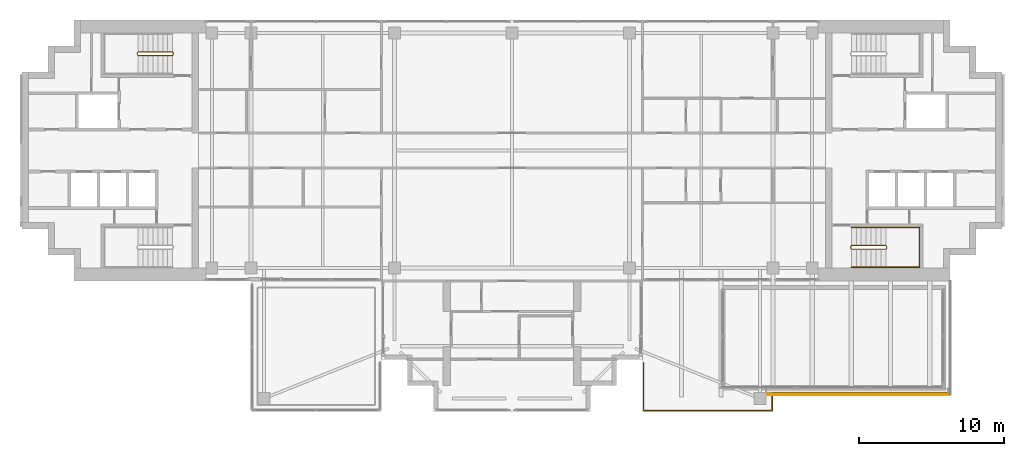
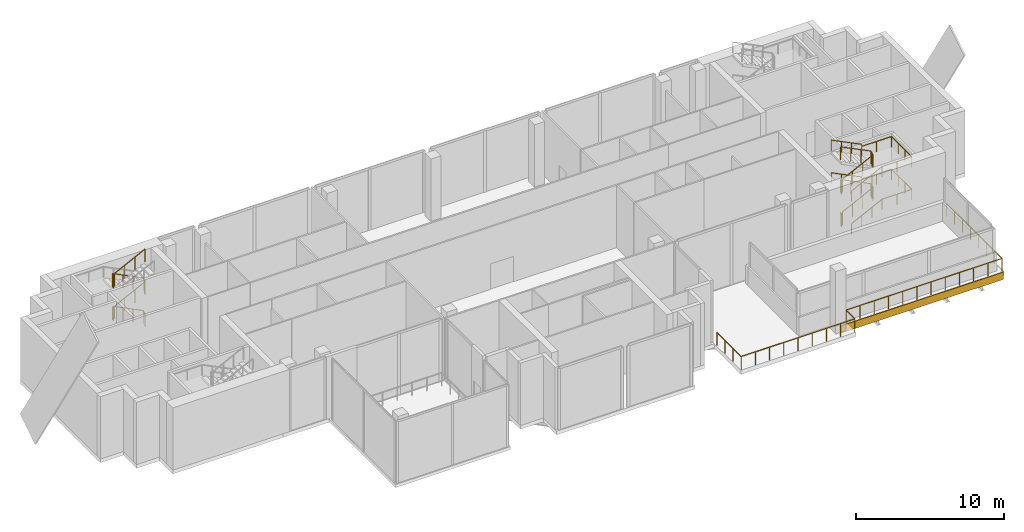
# One storey, part 13 of 14: 5 railings, 1 covering.
"""IFC4 building model written with IfcOpenShell, lengths in metres."""

from ifc_helpers import new_model, si_unit, direction, frame, origin, origin_2d, place, context, subcontext, project, spatial, rectangle, extrude, material, layer, layer_set, type_object, element, save


model = new_model("IFC4")

# Units and contexts
model_context = context("Model", 3, precision=1e-05, world=origin(), true_north=direction((0.0, 1.0)))
body_context = subcontext(model_context, "Body", "Model", "MODEL_VIEW")
ifc_project = project(units=[si_unit("LENGTHUNIT", "METRE"), si_unit("AREAUNIT", "SQUARE_METRE"), si_unit("VOLUMEUNIT", "CUBIC_METRE"), si_unit("PLANEANGLEUNIT", "RADIAN"), si_unit("MASSUNIT", "GRAM", prefix="KILO")], contexts=[model_context])

# Site, building, storey
site_placement = place(None, origin())
site = spatial("IfcSite", under=ifc_project, at=site_placement, CompositionType="ELEMENT")
building_placement = place(site_placement, origin())
building = spatial("IfcBuilding", under=site, at=building_placement, Name="Perihelion Cross Residences", CompositionType="ELEMENT")
storey_placement = place(building_placement, frame((0.0, 0.0, 285.0)))
storey = spatial("IfcBuildingStorey", under=building, at=storey_placement, Name="L73", CompositionType="ELEMENT", Elevation=285.0)

# Covering
ifc_material_1 = material(Name="Bronze anodised aluminium", Category="aluminium")
ifc_layer = layer(ifc_material_1, 0.06005859375)
ifc_layer_set = layer_set([ifc_layer], Name="Pool deck edge cladding")
covering_type = type_object("IfcCoveringType", Name="Pool deck edge cladding", PredefinedType="CLADDING", material=ifc_layer_set)
covering_placement = place(storey_placement, frame((23.85009765625, -16.830078125, -0.60009765625), z_axis=(0.0, 0.0, 1.0), x_axis=(1.0, 0.0, 0.0)))
element("IfcCovering", 1, at=covering_placement, inside=storey, type_object=covering_type, Name="Fascia PEC1 L73 pool no. 2", PredefinedType="CLADDING", context=body_context, shape_type="SweptSolid", body=[
    extrude(rectangle(XDim=12.699951171875, YDim=0.06005859375, at=origin_2d()), origin(), (0.0, 0.0, 1.0), 0.60009765625),
])

# Railings
ifc_material_2 = material(Name="Stainless steel", Category="steel")
railing_type_1 = type_object("IfcRailingType", Name="Stair guard 1100", PredefinedType="GUARDRAIL", material=ifc_material_2)
railing_1_placement = place(storey_placement, frame((23.35009765625, -6.60009765625, 0.0)))
element("IfcRailing", 2, at=railing_1_placement, inside=storey, type_object=railing_type_1, Name="L73 ST-E2 stair guard 1", PredefinedType="GUARDRAIL", context=body_context, shape_type="SweptSolid", body=[
    extrude(rectangle(XDim=0.048095703125, YDim=0.048095703125, at=origin_2d()), frame((0.0, 0.0, 1.076171875), z_axis=(0.0, -1.0, 0.0), x_axis=(1.0, 0.0, 0.0)), (0.0, 0.0, 1.0), 0.14990234375),
    extrude(rectangle(XDim=0.048095703125, YDim=0.048095703125, at=origin_2d()), frame((0.0, -0.14990234375, 1.076171875), z_axis=(0.272333783174, -0.273668752699, 0.922463942026), x_axis=(0.708833529934, 0.705375805398, 0.0)), (0.0, 0.0, 1.0), 0.182861328125),
    extrude(rectangle(XDim=0.048095703125, YDim=0.048095703125, at=origin_2d()), frame((0.0498046875, -0.199951171875, 1.24462890625), z_axis=(0.895728066128, 0.0, 0.444602329674), x_axis=(0.0, 1.0, 0.0)), (0.0, 0.0, 1.0), 2.6572265625),
    extrude(rectangle(XDim=0.048095703125, YDim=0.048095703125, at=origin_2d()), frame((2.429931640625, -0.199951171875, 2.42626953125), z_axis=(0.707106781187, 0.707106781187, 0.0), x_axis=(-0.707106781187, 0.707106781187, 0.0)), (0.0, 0.0, 1.0), 0.07080078125),
    extrude(rectangle(XDim=0.048095703125, YDim=0.048095703125, at=origin_2d()), frame((2.47998046875, -0.14990234375, 2.42626953125), z_axis=(0.0, 1.0, 0.0), x_axis=(-1.0, 0.0, 0.0)), (0.0, 0.0, 1.0), 0.14990234375),
    extrude(rectangle(XDim=0.048095703125, YDim=0.048095703125, at=origin_2d()), frame((2.47998046875, 0.0, 2.42626953125), z_axis=(-0.273569069059, 0.273569069059, 0.922127935218), x_axis=(-0.707106781187, -0.707106781187, 0.0)), (0.0, 0.0, 1.0), 0.182861328125),
    extrude(rectangle(XDim=0.048095703125, YDim=0.048095703125, at=origin_2d()), frame((2.429931640625, 0.050048828125, 2.5947265625), z_axis=(-0.895764654725, 0.0, 0.444528608017), x_axis=(0.0, -1.0, 0.0)), (0.0, 0.0, 1.0), 2.656982421875),
    extrude(rectangle(XDim=0.048095703125, YDim=0.048095703125, at=origin_2d()), frame((0.0498046875, 0.050048828125, 3.77587890625), z_axis=(-0.241699205484, -0.970351222016, 0.0), x_axis=(0.970351222016, -0.241699205484, 0.0)), (0.0, 0.0, 1.0), 0.2060546875),
    extrude(rectangle(XDim=0.048095703125, YDim=0.048095703125, at=origin_2d()), frame((0.0, -0.14990234375, 3.77587890625), z_axis=(0.0, 1.0, 0.0), x_axis=(-1.0, 0.0, 0.0)), (0.0, 0.0, 1.0), 0.14990234375),
    extrude(rectangle(XDim=0.048095703125, YDim=0.048095703125, at=origin_2d()), frame((0.0, 0.0, 3.77587890625), z_axis=(0.187017651923, -0.750820867278, 0.633476458228), x_axis=(0.970351222016, 0.241699205484, 0.0)), (0.0, 0.0, 1.0), 0.266357421875),
    extrude(rectangle(XDim=0.048095703125, YDim=0.048095703125, at=origin_2d()), frame((0.0498046875, -0.199951171875, 3.94482421875), z_axis=(0.895728066128, 0.0, 0.444602329674), x_axis=(0.0, 1.0, 0.0)), (0.0, 0.0, 1.0), 2.6572265625),
    extrude(rectangle(XDim=0.048095703125, YDim=0.048095703125, at=origin_2d()), frame((2.429931640625, -0.199951171875, 5.1259765625), z_axis=(0.707106781187, 0.707106781187, 0.0), x_axis=(-0.707106781187, 0.707106781187, 0.0)), (0.0, 0.0, 1.0), 0.07080078125),
    extrude(rectangle(XDim=0.048095703125, YDim=0.048095703125, at=origin_2d()), frame((2.47998046875, -0.14990234375, 5.1259765625), z_axis=(0.0, 1.0, 0.0), x_axis=(-1.0, 0.0, 0.0)), (0.0, 0.0, 1.0), 0.14990234375),
    extrude(rectangle(XDim=0.048095703125, YDim=0.048095703125, at=origin_2d()), frame((2.47998046875, 0.0, 5.1259765625), z_axis=(-0.273569069059, 0.273569069059, 0.922127935218), x_axis=(-0.707106781187, -0.707106781187, 0.0)), (0.0, 0.0, 1.0), 0.182861328125),
    extrude(rectangle(XDim=0.048095703125, YDim=0.048095703125, at=origin_2d()), frame((2.429931640625, 0.050048828125, 5.294921875), z_axis=(-0.895764654725, 0.0, 0.444528608017), x_axis=(0.0, -1.0, 0.0)), (0.0, 0.0, 1.0), 2.656982421875),
    extrude(rectangle(XDim=0.0419921875, YDim=0.0419921875, at=origin_2d()), origin(), (0.0, 0.0, 1.0), 1.052001953125),
    extrude(rectangle(XDim=0.0419921875, YDim=0.0419921875, at=origin_2d()), frame((0.0, -0.14990234375, 0.0)), (0.0, 0.0, 1.0), 1.052001953125),
    extrude(rectangle(XDim=0.0419921875, YDim=0.0419921875, at=origin_2d()), frame((0.0498046875, -0.199951171875, 0.168701171875)), (0.0, 0.0, 1.0), 1.052001953125),
    extrude(rectangle(XDim=0.0419921875, YDim=0.0419921875, at=origin_2d()), frame((0.84326171875, -0.199951171875, 0.5625)), (0.0, 0.0, 1.0), 1.052001953125),
    extrude(rectangle(XDim=0.0419921875, YDim=0.0419921875, at=origin_2d()), frame((1.636474609375, -0.199951171875, 0.956298828125)), (0.0, 0.0, 1.0), 1.052001953125),
    extrude(rectangle(XDim=0.0419921875, YDim=0.0419921875, at=origin_2d()), frame((2.429931640625, -0.199951171875, 1.35009765625)), (0.0, 0.0, 1.0), 1.052001953125),
    extrude(rectangle(XDim=0.0419921875, YDim=0.0419921875, at=origin_2d()), frame((2.47998046875, -0.14990234375, 1.35009765625)), (0.0, 0.0, 1.0), 1.052001953125),
    extrude(rectangle(XDim=0.0419921875, YDim=0.0419921875, at=origin_2d()), frame((2.47998046875, 0.0, 1.35009765625)), (0.0, 0.0, 1.0), 1.052001953125),
    extrude(rectangle(XDim=0.0419921875, YDim=0.0419921875, at=origin_2d()), frame((2.429931640625, 0.050048828125, 1.518798828125)), (0.0, 0.0, 1.0), 1.052001953125),
    extrude(rectangle(XDim=0.0419921875, YDim=0.0419921875, at=origin_2d()), frame((1.636474609375, 0.050048828125, 1.91259765625)), (0.0, 0.0, 1.0), 1.052001953125),
    extrude(rectangle(XDim=0.0419921875, YDim=0.0419921875, at=origin_2d()), frame((0.84326171875, 0.050048828125, 2.30615234375)), (0.0, 0.0, 1.0), 1.052001953125),
    extrude(rectangle(XDim=0.0419921875, YDim=0.0419921875, at=origin_2d()), frame((0.0498046875, 0.050048828125, 2.699951171875)), (0.0, 0.0, 1.0), 1.052001953125),
    extrude(rectangle(XDim=0.0419921875, YDim=0.0419921875, at=origin_2d()), frame((0.0, -0.14990234375, 2.699951171875)), (0.0, 0.0, 1.0), 1.052001953125),
    extrude(rectangle(XDim=0.0419921875, YDim=0.0419921875, at=origin_2d()), frame((0.0, 0.0, 2.699951171875)), (0.0, 0.0, 1.0), 1.052001953125),
    extrude(rectangle(XDim=0.0419921875, YDim=0.0419921875, at=origin_2d()), frame((0.0498046875, -0.199951171875, 2.86865234375)), (0.0, 0.0, 1.0), 1.052001953125),
    extrude(rectangle(XDim=0.0419921875, YDim=0.0419921875, at=origin_2d()), frame((0.84326171875, -0.199951171875, 3.262451171875)), (0.0, 0.0, 1.0), 1.052001953125),
    extrude(rectangle(XDim=0.0419921875, YDim=0.0419921875, at=origin_2d()), frame((1.636474609375, -0.199951171875, 3.65625)), (0.0, 0.0, 1.0), 1.052001953125),
    extrude(rectangle(XDim=0.0419921875, YDim=0.0419921875, at=origin_2d()), frame((2.429931640625, -0.199951171875, 4.050048828125)), (0.0, 0.0, 1.0), 1.052001953125),
    extrude(rectangle(XDim=0.0419921875, YDim=0.0419921875, at=origin_2d()), frame((2.47998046875, -0.14990234375, 4.050048828125)), (0.0, 0.0, 1.0), 1.052001953125),
    extrude(rectangle(XDim=0.0419921875, YDim=0.0419921875, at=origin_2d()), frame((2.47998046875, 0.0, 4.050048828125)), (0.0, 0.0, 1.0), 1.052001953125),
    extrude(rectangle(XDim=0.0419921875, YDim=0.0419921875, at=origin_2d()), frame((2.429931640625, 0.050048828125, 4.21875)), (0.0, 0.0, 1.0), 1.052001953125),
    extrude(rectangle(XDim=0.0419921875, YDim=0.0419921875, at=origin_2d()), frame((1.636474609375, 0.050048828125, 4.612548828125)), (0.0, 0.0, 1.0), 1.052001953125),
    extrude(rectangle(XDim=0.0419921875, YDim=0.0419921875, at=origin_2d()), frame((0.84326171875, 0.050048828125, 5.006103515625)), (0.0, 0.0, 1.0), 1.052001953125),
    extrude(rectangle(XDim=0.0419921875, YDim=0.0419921875, at=origin_2d()), frame((0.0498046875, 0.050048828125, 5.39990234375)), (0.0, 0.0, 1.0), 1.052001953125),
])
railing_2_placement = place(storey_placement, frame((-23.35009765625, 6.60009765625, 0.0)))
element("IfcRailing", 3, at=railing_2_placement, inside=storey, type_object=railing_type_1, Name="L73 ST-W1 stair guard 1", PredefinedType="GUARDRAIL", context=body_context, shape_type="SweptSolid", body=[
    extrude(rectangle(XDim=0.048095703125, YDim=0.048095703125, at=origin_2d()), frame((0.0, 0.0, 1.076171875), z_axis=(0.0, 1.0, 0.0), x_axis=(-1.0, 0.0, 0.0)), (0.0, 0.0, 1.0), 0.14990234375),
    extrude(rectangle(XDim=0.048095703125, YDim=0.048095703125, at=origin_2d()), frame((0.0, 0.14990234375, 1.076171875), z_axis=(-0.272333783174, 0.273668752699, 0.922463942026), x_axis=(-0.708833529934, -0.705375805398, 0.0)), (0.0, 0.0, 1.0), 0.182861328125),
    extrude(rectangle(XDim=0.048095703125, YDim=0.048095703125, at=origin_2d()), frame((-0.0498046875, 0.199951171875, 1.24462890625), z_axis=(-0.895728066128, 0.0, 0.444602329674), x_axis=(0.0, -1.0, 0.0)), (0.0, 0.0, 1.0), 2.6572265625),
    extrude(rectangle(XDim=0.048095703125, YDim=0.048095703125, at=origin_2d()), frame((-2.429931640625, 0.199951171875, 2.42626953125), z_axis=(-0.707106781187, -0.707106781187, 0.0), x_axis=(0.707106781187, -0.707106781187, 0.0)), (0.0, 0.0, 1.0), 0.07080078125),
    extrude(rectangle(XDim=0.048095703125, YDim=0.048095703125, at=origin_2d()), frame((-2.47998046875, 0.14990234375, 2.42626953125), z_axis=(0.0, -1.0, 0.0), x_axis=(1.0, 0.0, 0.0)), (0.0, 0.0, 1.0), 0.14990234375),
    extrude(rectangle(XDim=0.048095703125, YDim=0.048095703125, at=origin_2d()), frame((-2.47998046875, 0.0, 2.42626953125), z_axis=(0.273569069059, -0.273569069059, 0.922127935218), x_axis=(0.707106781187, 0.707106781187, 0.0)), (0.0, 0.0, 1.0), 0.182861328125),
    extrude(rectangle(XDim=0.048095703125, YDim=0.048095703125, at=origin_2d()), frame((-2.429931640625, -0.050048828125, 2.5947265625), z_axis=(0.895764654725, 0.0, 0.444528608017), x_axis=(0.0, 1.0, 0.0)), (0.0, 0.0, 1.0), 2.656982421875),
    extrude(rectangle(XDim=0.048095703125, YDim=0.048095703125, at=origin_2d()), frame((-0.0498046875, -0.050048828125, 3.77587890625), z_axis=(0.241699205484, 0.970351222016, 0.0), x_axis=(-0.970351222016, 0.241699205484, 0.0)), (0.0, 0.0, 1.0), 0.2060546875),
    extrude(rectangle(XDim=0.048095703125, YDim=0.048095703125, at=origin_2d()), frame((0.0, 0.14990234375, 3.77587890625), z_axis=(0.0, -1.0, 0.0), x_axis=(1.0, 0.0, 0.0)), (0.0, 0.0, 1.0), 0.14990234375),
    extrude(rectangle(XDim=0.048095703125, YDim=0.048095703125, at=origin_2d()), frame((0.0, 0.0, 3.77587890625), z_axis=(-0.187017651923, 0.750820867278, 0.633476458228), x_axis=(-0.970351222016, -0.241699205484, 0.0)), (0.0, 0.0, 1.0), 0.266357421875),
    extrude(rectangle(XDim=0.048095703125, YDim=0.048095703125, at=origin_2d()), frame((-0.0498046875, 0.199951171875, 3.94482421875), z_axis=(-0.895728066128, 0.0, 0.444602329674), x_axis=(0.0, -1.0, 0.0)), (0.0, 0.0, 1.0), 2.6572265625),
    extrude(rectangle(XDim=0.048095703125, YDim=0.048095703125, at=origin_2d()), frame((-2.429931640625, 0.199951171875, 5.1259765625), z_axis=(-0.707106781187, -0.707106781187, 0.0), x_axis=(0.707106781187, -0.707106781187, 0.0)), (0.0, 0.0, 1.0), 0.07080078125),
    extrude(rectangle(XDim=0.048095703125, YDim=0.048095703125, at=origin_2d()), frame((-2.47998046875, 0.14990234375, 5.1259765625), z_axis=(0.0, -1.0, 0.0), x_axis=(1.0, 0.0, 0.0)), (0.0, 0.0, 1.0), 0.14990234375),
    extrude(rectangle(XDim=0.048095703125, YDim=0.048095703125, at=origin_2d()), frame((-2.47998046875, 0.0, 5.1259765625), z_axis=(0.273569069059, -0.273569069059, 0.922127935218), x_axis=(0.707106781187, 0.707106781187, 0.0)), (0.0, 0.0, 1.0), 0.182861328125),
    extrude(rectangle(XDim=0.048095703125, YDim=0.048095703125, at=origin_2d()), frame((-2.429931640625, -0.050048828125, 5.294921875), z_axis=(0.895764654725, 0.0, 0.444528608017), x_axis=(0.0, 1.0, 0.0)), (0.0, 0.0, 1.0), 2.656982421875),
    extrude(rectangle(XDim=0.0419921875, YDim=0.0419921875, at=origin_2d()), origin(), (0.0, 0.0, 1.0), 1.052001953125),
    extrude(rectangle(XDim=0.0419921875, YDim=0.0419921875, at=origin_2d()), frame((0.0, 0.14990234375, 0.0)), (0.0, 0.0, 1.0), 1.052001953125),
    extrude(rectangle(XDim=0.0419921875, YDim=0.0419921875, at=origin_2d()), frame((-0.0498046875, 0.199951171875, 0.168701171875)), (0.0, 0.0, 1.0), 1.052001953125),
    extrude(rectangle(XDim=0.0419921875, YDim=0.0419921875, at=origin_2d()), frame((-0.84326171875, 0.199951171875, 0.5625)), (0.0, 0.0, 1.0), 1.052001953125),
    extrude(rectangle(XDim=0.0419921875, YDim=0.0419921875, at=origin_2d()), frame((-1.636474609375, 0.199951171875, 0.956298828125)), (0.0, 0.0, 1.0), 1.052001953125),
    extrude(rectangle(XDim=0.0419921875, YDim=0.0419921875, at=origin_2d()), frame((-2.429931640625, 0.199951171875, 1.35009765625)), (0.0, 0.0, 1.0), 1.052001953125),
    extrude(rectangle(XDim=0.0419921875, YDim=0.0419921875, at=origin_2d()), frame((-2.47998046875, 0.14990234375, 1.35009765625)), (0.0, 0.0, 1.0), 1.052001953125),
    extrude(rectangle(XDim=0.0419921875, YDim=0.0419921875, at=origin_2d()), frame((-2.47998046875, 0.0, 1.35009765625)), (0.0, 0.0, 1.0), 1.052001953125),
    extrude(rectangle(XDim=0.0419921875, YDim=0.0419921875, at=origin_2d()), frame((-2.429931640625, -0.050048828125, 1.518798828125)), (0.0, 0.0, 1.0), 1.052001953125),
    extrude(rectangle(XDim=0.0419921875, YDim=0.0419921875, at=origin_2d()), frame((-1.636474609375, -0.050048828125, 1.91259765625)), (0.0, 0.0, 1.0), 1.052001953125),
    extrude(rectangle(XDim=0.0419921875, YDim=0.0419921875, at=origin_2d()), frame((-0.84326171875, -0.050048828125, 2.30615234375)), (0.0, 0.0, 1.0), 1.052001953125),
    extrude(rectangle(XDim=0.0419921875, YDim=0.0419921875, at=origin_2d()), frame((-0.0498046875, -0.050048828125, 2.699951171875)), (0.0, 0.0, 1.0), 1.052001953125),
    extrude(rectangle(XDim=0.0419921875, YDim=0.0419921875, at=origin_2d()), frame((0.0, 0.14990234375, 2.699951171875)), (0.0, 0.0, 1.0), 1.052001953125),
    extrude(rectangle(XDim=0.0419921875, YDim=0.0419921875, at=origin_2d()), frame((0.0, 0.0, 2.699951171875)), (0.0, 0.0, 1.0), 1.052001953125),
    extrude(rectangle(XDim=0.0419921875, YDim=0.0419921875, at=origin_2d()), frame((-0.0498046875, 0.199951171875, 2.86865234375)), (0.0, 0.0, 1.0), 1.052001953125),
    extrude(rectangle(XDim=0.0419921875, YDim=0.0419921875, at=origin_2d()), frame((-0.84326171875, 0.199951171875, 3.262451171875)), (0.0, 0.0, 1.0), 1.052001953125),
    extrude(rectangle(XDim=0.0419921875, YDim=0.0419921875, at=origin_2d()), frame((-1.636474609375, 0.199951171875, 3.65625)), (0.0, 0.0, 1.0), 1.052001953125),
    extrude(rectangle(XDim=0.0419921875, YDim=0.0419921875, at=origin_2d()), frame((-2.429931640625, 0.199951171875, 4.050048828125)), (0.0, 0.0, 1.0), 1.052001953125),
    extrude(rectangle(XDim=0.0419921875, YDim=0.0419921875, at=origin_2d()), frame((-2.47998046875, 0.14990234375, 4.050048828125)), (0.0, 0.0, 1.0), 1.052001953125),
    extrude(rectangle(XDim=0.0419921875, YDim=0.0419921875, at=origin_2d()), frame((-2.47998046875, 0.0, 4.050048828125)), (0.0, 0.0, 1.0), 1.052001953125),
    extrude(rectangle(XDim=0.0419921875, YDim=0.0419921875, at=origin_2d()), frame((-2.429931640625, -0.050048828125, 4.21875)), (0.0, 0.0, 1.0), 1.052001953125),
    extrude(rectangle(XDim=0.0419921875, YDim=0.0419921875, at=origin_2d()), frame((-1.636474609375, -0.050048828125, 4.612548828125)), (0.0, 0.0, 1.0), 1.052001953125),
    extrude(rectangle(XDim=0.0419921875, YDim=0.0419921875, at=origin_2d()), frame((-0.84326171875, -0.050048828125, 5.006103515625)), (0.0, 0.0, 1.0), 1.052001953125),
    extrude(rectangle(XDim=0.0419921875, YDim=0.0419921875, at=origin_2d()), frame((-0.0498046875, -0.050048828125, 5.39990234375)), (0.0, 0.0, 1.0), 1.052001953125),
])
ifc_material_3 = material(Name="Stainless steel", Category="steel")
railing_type_2 = type_object("IfcRailingType", Name="Stair handrail 900", PredefinedType="HANDRAIL", material=ifc_material_3)
railing_3_placement = place(storey_placement, frame((23.39990234375, -8.050048828125, 0.168701171875)))
element("IfcRailing", 4, at=railing_3_placement, inside=storey, type_object=railing_type_2, Name="L73 ST-E2 stair handrail 1", PredefinedType="HANDRAIL", context=body_context, shape_type="SweptSolid", body=[
    extrude(rectangle(XDim=0.048095703125, YDim=0.048095703125, at=origin_2d()), frame((0.0, 0.0, 0.8759765625), z_axis=(0.895728066128, 0.0, 0.444602329674), x_axis=(0.0, 1.0, 0.0)), (0.0, 0.0, 1.0), 2.6572265625),
    extrude(rectangle(XDim=0.048095703125, YDim=0.048095703125, at=origin_2d()), frame((2.380126953125, 0.0, 2.05712890625), z_axis=(1.0, 0.0, 0.0), x_axis=(0.0, 1.0, 0.0)), (0.0, 0.0, 1.0), 2.320068359375),
    extrude(rectangle(XDim=0.048095703125, YDim=0.048095703125, at=origin_2d()), frame((4.7001953125, 0.0, 2.05712890625), z_axis=(0.0, 1.0, 0.0), x_axis=(-1.0, 0.0, 0.0)), (0.0, 0.0, 1.0), 2.75),
    extrude(rectangle(XDim=0.048095703125, YDim=0.048095703125, at=origin_2d()), frame((4.7001953125, 2.75, 2.05712890625), z_axis=(-1.0, 0.0, 0.0), x_axis=(0.0, -1.0, 0.0)), (0.0, 0.0, 1.0), 2.320068359375),
    extrude(rectangle(XDim=0.048095703125, YDim=0.048095703125, at=origin_2d()), frame((2.380126953125, 2.75, 2.05712890625), z_axis=(0.0, 0.0, 1.0), x_axis=(1.0, 0.0, 0.0)), (0.0, 0.0, 1.0), 0.168701171875),
    extrude(rectangle(XDim=0.048095703125, YDim=0.048095703125, at=origin_2d()), frame((2.380126953125, 2.75, 2.22607421875), z_axis=(-0.895764654725, 0.0, 0.444528608017), x_axis=(0.0, -1.0, 0.0)), (0.0, 0.0, 1.0), 2.656982421875),
    extrude(rectangle(XDim=0.0419921875, YDim=0.0419921875, at=origin_2d()), origin(), (0.0, 0.0, 1.0), 0.851806640625),
    extrude(rectangle(XDim=0.0419921875, YDim=0.0419921875, at=origin_2d()), frame((0.79345703125, 0.0, 0.393798828125)), (0.0, 0.0, 1.0), 0.851806640625),
    extrude(rectangle(XDim=0.0419921875, YDim=0.0419921875, at=origin_2d()), frame((1.586669921875, 0.0, 0.78759765625)), (0.0, 0.0, 1.0), 0.851806640625),
    extrude(rectangle(XDim=0.0419921875, YDim=0.0419921875, at=origin_2d()), frame((2.380126953125, 0.0, 1.181396484375)), (0.0, 0.0, 1.0), 0.851806640625),
    extrude(rectangle(XDim=0.0419921875, YDim=0.0419921875, at=origin_2d()), frame((3.5400390625, 0.0, 1.181396484375)), (0.0, 0.0, 1.0), 0.851806640625),
    extrude(rectangle(XDim=0.0419921875, YDim=0.0419921875, at=origin_2d()), frame((4.7001953125, 0.0, 1.181396484375)), (0.0, 0.0, 1.0), 0.851806640625),
    extrude(rectangle(XDim=0.0419921875, YDim=0.0419921875, at=origin_2d()), frame((4.7001953125, 0.916748046875, 1.181396484375)), (0.0, 0.0, 1.0), 0.851806640625),
    extrude(rectangle(XDim=0.0419921875, YDim=0.0419921875, at=origin_2d()), frame((4.7001953125, 1.833251953125, 1.181396484375)), (0.0, 0.0, 1.0), 0.851806640625),
    extrude(rectangle(XDim=0.0419921875, YDim=0.0419921875, at=origin_2d()), frame((4.7001953125, 2.75, 1.181396484375)), (0.0, 0.0, 1.0), 0.851806640625),
    extrude(rectangle(XDim=0.0419921875, YDim=0.0419921875, at=origin_2d()), frame((3.5400390625, 2.75, 1.181396484375)), (0.0, 0.0, 1.0), 0.851806640625),
    extrude(rectangle(XDim=0.0419921875, YDim=0.0419921875, at=origin_2d()), frame((2.380126953125, 2.75, 1.181396484375)), (0.0, 0.0, 1.0), 0.851806640625),
    extrude(rectangle(XDim=0.0419921875, YDim=0.0419921875, at=origin_2d()), frame((2.380126953125, 2.75, 1.35009765625)), (0.0, 0.0, 1.0), 0.851806640625),
    extrude(rectangle(XDim=0.0419921875, YDim=0.0419921875, at=origin_2d()), frame((1.586669921875, 2.75, 1.743896484375)), (0.0, 0.0, 1.0), 0.851806640625),
    extrude(rectangle(XDim=0.0419921875, YDim=0.0419921875, at=origin_2d()), frame((0.79345703125, 2.75, 2.137451171875)), (0.0, 0.0, 1.0), 0.851806640625),
    extrude(rectangle(XDim=0.0419921875, YDim=0.0419921875, at=origin_2d()), frame((0.0, 2.75, 2.53125)), (0.0, 0.0, 1.0), 0.851806640625),
])
railing_4_placement = place(storey_placement, frame((23.39990234375, -8.050048828125, 2.86865234375)))
element("IfcRailing", 5, at=railing_4_placement, inside=storey, type_object=railing_type_2, Name="L73 ST-E2 stair handrail 2", PredefinedType="HANDRAIL", context=body_context, shape_type="SweptSolid", body=[
    extrude(rectangle(XDim=0.048095703125, YDim=0.048095703125, at=origin_2d()), frame((0.0, 0.0, 0.8759765625), z_axis=(0.895728066128, 0.0, 0.444602329674), x_axis=(0.0, 1.0, 0.0)), (0.0, 0.0, 1.0), 2.6572265625),
    extrude(rectangle(XDim=0.048095703125, YDim=0.048095703125, at=origin_2d()), frame((2.380126953125, 0.0, 2.05712890625), z_axis=(1.0, 0.0, 0.0), x_axis=(0.0, 1.0, 0.0)), (0.0, 0.0, 1.0), 2.320068359375),
    extrude(rectangle(XDim=0.048095703125, YDim=0.048095703125, at=origin_2d()), frame((4.7001953125, 0.0, 2.05712890625), z_axis=(0.0, 1.0, 0.0), x_axis=(-1.0, 0.0, 0.0)), (0.0, 0.0, 1.0), 2.75),
    extrude(rectangle(XDim=0.048095703125, YDim=0.048095703125, at=origin_2d()), frame((4.7001953125, 2.75, 2.05712890625), z_axis=(-1.0, 0.0, 0.0), x_axis=(0.0, -1.0, 0.0)), (0.0, 0.0, 1.0), 2.320068359375),
    extrude(rectangle(XDim=0.048095703125, YDim=0.048095703125, at=origin_2d()), frame((2.380126953125, 2.75, 2.05712890625), z_axis=(0.0, 0.0, 1.0), x_axis=(1.0, 0.0, 0.0)), (0.0, 0.0, 1.0), 0.168701171875),
    extrude(rectangle(XDim=0.048095703125, YDim=0.048095703125, at=origin_2d()), frame((2.380126953125, 2.75, 2.22607421875), z_axis=(-0.895764654725, 0.0, 0.444528608017), x_axis=(0.0, -1.0, 0.0)), (0.0, 0.0, 1.0), 2.656982421875),
    extrude(rectangle(XDim=0.0419921875, YDim=0.0419921875, at=origin_2d()), origin(), (0.0, 0.0, 1.0), 0.851806640625),
    extrude(rectangle(XDim=0.0419921875, YDim=0.0419921875, at=origin_2d()), frame((0.79345703125, 0.0, 0.393798828125)), (0.0, 0.0, 1.0), 0.851806640625),
    extrude(rectangle(XDim=0.0419921875, YDim=0.0419921875, at=origin_2d()), frame((1.586669921875, 0.0, 0.78759765625)), (0.0, 0.0, 1.0), 0.851806640625),
    extrude(rectangle(XDim=0.0419921875, YDim=0.0419921875, at=origin_2d()), frame((2.380126953125, 0.0, 1.181396484375)), (0.0, 0.0, 1.0), 0.851806640625),
    extrude(rectangle(XDim=0.0419921875, YDim=0.0419921875, at=origin_2d()), frame((3.5400390625, 0.0, 1.181396484375)), (0.0, 0.0, 1.0), 0.851806640625),
    extrude(rectangle(XDim=0.0419921875, YDim=0.0419921875, at=origin_2d()), frame((4.7001953125, 0.0, 1.181396484375)), (0.0, 0.0, 1.0), 0.851806640625),
    extrude(rectangle(XDim=0.0419921875, YDim=0.0419921875, at=origin_2d()), frame((4.7001953125, 0.916748046875, 1.181396484375)), (0.0, 0.0, 1.0), 0.851806640625),
    extrude(rectangle(XDim=0.0419921875, YDim=0.0419921875, at=origin_2d()), frame((4.7001953125, 1.833251953125, 1.181396484375)), (0.0, 0.0, 1.0), 0.851806640625),
    extrude(rectangle(XDim=0.0419921875, YDim=0.0419921875, at=origin_2d()), frame((4.7001953125, 2.75, 1.181396484375)), (0.0, 0.0, 1.0), 0.851806640625),
    extrude(rectangle(XDim=0.0419921875, YDim=0.0419921875, at=origin_2d()), frame((3.5400390625, 2.75, 1.181396484375)), (0.0, 0.0, 1.0), 0.851806640625),
    extrude(rectangle(XDim=0.0419921875, YDim=0.0419921875, at=origin_2d()), frame((2.380126953125, 2.75, 1.181396484375)), (0.0, 0.0, 1.0), 0.851806640625),
    extrude(rectangle(XDim=0.0419921875, YDim=0.0419921875, at=origin_2d()), frame((2.380126953125, 2.75, 1.35009765625)), (0.0, 0.0, 1.0), 0.851806640625),
    extrude(rectangle(XDim=0.0419921875, YDim=0.0419921875, at=origin_2d()), frame((1.586669921875, 2.75, 1.743896484375)), (0.0, 0.0, 1.0), 0.851806640625),
    extrude(rectangle(XDim=0.0419921875, YDim=0.0419921875, at=origin_2d()), frame((0.79345703125, 2.75, 2.137451171875)), (0.0, 0.0, 1.0), 0.851806640625),
    extrude(rectangle(XDim=0.0419921875, YDim=0.0419921875, at=origin_2d()), frame((0.0, 2.75, 2.53125)), (0.0, 0.0, 1.0), 0.851806640625),
])
ifc_material_4 = material(Name="Bronze anodised aluminium", Category="aluminium")
railing_type_3 = type_object("IfcRailingType", Name="Terrace guard 1100", PredefinedType="GUARDRAIL", material=ifc_material_4)
railing_5_placement = place(storey_placement, frame((30.139892578125, -9.25, 0.0)))
element("IfcRailing", 6, at=railing_5_placement, inside=storey, type_object=railing_type_3, Name="Guard GU2 L73 1 no. 1", PredefinedType="GUARDRAIL", context=body_context, shape_type="SweptSolid", body=[
    extrude(rectangle(XDim=0.048095703125, YDim=0.048095703125, at=origin_2d()), frame((0.0, 0.0, 1.076171875), z_axis=(0.0, -1.0, 0.0), x_axis=(1.0, 0.0, 0.0)), (0.0, 0.0, 1.0), 7.489990234375),
    extrude(rectangle(XDim=0.048095703125, YDim=0.048095703125, at=origin_2d()), frame((0.0, -7.489990234375, 1.076171875), z_axis=(-1.0, 0.0, 0.0), x_axis=(0.0, -1.0, 0.0)), (0.0, 0.0, 1.0), 12.199951171875),
    extrude(rectangle(XDim=0.048095703125, YDim=0.048095703125, at=origin_2d()), frame((-12.199951171875, -7.489990234375, 1.076171875), z_axis=(0.0, -1.0, 0.0), x_axis=(1.0, 0.0, 0.0)), (0.0, 0.0, 1.0), 1.199951171875),
    extrude(rectangle(XDim=0.048095703125, YDim=0.048095703125, at=origin_2d()), frame((-12.199951171875, -8.68994140625, 1.076171875), z_axis=(-1.0, 0.0, 0.0), x_axis=(0.0, -1.0, 0.0)), (0.0, 0.0, 1.0), 8.8798828125),
    extrude(rectangle(XDim=0.048095703125, YDim=0.048095703125, at=origin_2d()), frame((-21.079833984375, -8.68994140625, 1.076171875), z_axis=(0.0, 1.0, 0.0), x_axis=(-1.0, 0.0, 0.0)), (0.0, 0.0, 1.0), 3.297607421875),
    extrude(rectangle(XDim=0.0419921875, YDim=0.0419921875, at=origin_2d()), origin(), (0.0, 0.0, 1.0), 1.052001953125),
    extrude(rectangle(XDim=0.0419921875, YDim=0.0419921875, at=origin_2d()), frame((0.0, -1.070068359375, 0.0)), (0.0, 0.0, 1.0), 1.052001953125),
    extrude(rectangle(XDim=0.0419921875, YDim=0.0419921875, at=origin_2d()), frame((0.0, -2.139892578125, 0.0)), (0.0, 0.0, 1.0), 1.052001953125),
    extrude(rectangle(XDim=0.0419921875, YDim=0.0419921875, at=origin_2d()), frame((0.0, -3.2099609375, 0.0)), (0.0, 0.0, 1.0), 1.052001953125),
    extrude(rectangle(XDim=0.0419921875, YDim=0.0419921875, at=origin_2d()), frame((0.0, -4.280029296875, 0.0)), (0.0, 0.0, 1.0), 1.052001953125),
    extrude(rectangle(XDim=0.0419921875, YDim=0.0419921875, at=origin_2d()), frame((0.0, -5.35009765625, 0.0)), (0.0, 0.0, 1.0), 1.052001953125),
    extrude(rectangle(XDim=0.0419921875, YDim=0.0419921875, at=origin_2d()), frame((0.0, -6.419921875, 0.0)), (0.0, 0.0, 1.0), 1.052001953125),
    extrude(rectangle(XDim=0.0419921875, YDim=0.0419921875, at=origin_2d()), frame((0.0, -7.489990234375, 0.0)), (0.0, 0.0, 1.0), 1.052001953125),
    extrude(rectangle(XDim=0.0419921875, YDim=0.0419921875, at=origin_2d()), frame((-1.109130859375, -7.489990234375, 0.0)), (0.0, 0.0, 1.0), 1.052001953125),
    extrude(rectangle(XDim=0.0419921875, YDim=0.0419921875, at=origin_2d()), frame((-2.21826171875, -7.489990234375, 0.0)), (0.0, 0.0, 1.0), 1.052001953125),
    extrude(rectangle(XDim=0.0419921875, YDim=0.0419921875, at=origin_2d()), frame((-3.3271484375, -7.489990234375, 0.0)), (0.0, 0.0, 1.0), 1.052001953125),
    extrude(rectangle(XDim=0.0419921875, YDim=0.0419921875, at=origin_2d()), frame((-4.436279296875, -7.489990234375, 0.0)), (0.0, 0.0, 1.0), 1.052001953125),
    extrude(rectangle(XDim=0.0419921875, YDim=0.0419921875, at=origin_2d()), frame((-5.54541015625, -7.489990234375, 0.0)), (0.0, 0.0, 1.0), 1.052001953125),
    extrude(rectangle(XDim=0.0419921875, YDim=0.0419921875, at=origin_2d()), frame((-6.654541015625, -7.489990234375, 0.0)), (0.0, 0.0, 1.0), 1.052001953125),
    extrude(rectangle(XDim=0.0419921875, YDim=0.0419921875, at=origin_2d()), frame((-7.763671875, -7.489990234375, 0.0)), (0.0, 0.0, 1.0), 1.052001953125),
    extrude(rectangle(XDim=0.0419921875, YDim=0.0419921875, at=origin_2d()), frame((-8.872802734375, -7.489990234375, 0.0)), (0.0, 0.0, 1.0), 1.052001953125),
    extrude(rectangle(XDim=0.0419921875, YDim=0.0419921875, at=origin_2d()), frame((-9.981689453125, -7.489990234375, 0.0)), (0.0, 0.0, 1.0), 1.052001953125),
    extrude(rectangle(XDim=0.0419921875, YDim=0.0419921875, at=origin_2d()), frame((-11.0908203125, -7.489990234375, 0.0)), (0.0, 0.0, 1.0), 1.052001953125),
    extrude(rectangle(XDim=0.0419921875, YDim=0.0419921875, at=origin_2d()), frame((-12.199951171875, -7.489990234375, 0.0)), (0.0, 0.0, 1.0), 1.052001953125),
    extrude(rectangle(XDim=0.0419921875, YDim=0.0419921875, at=origin_2d()), frame((-12.199951171875, -8.68994140625, 0.0)), (0.0, 0.0, 1.0), 1.052001953125),
    extrude(rectangle(XDim=0.0419921875, YDim=0.0419921875, at=origin_2d()), frame((-13.31005859375, -8.68994140625, 0.0)), (0.0, 0.0, 1.0), 1.052001953125),
    extrude(rectangle(XDim=0.0419921875, YDim=0.0419921875, at=origin_2d()), frame((-14.419921875, -8.68994140625, 0.0)), (0.0, 0.0, 1.0), 1.052001953125),
    extrude(rectangle(XDim=0.0419921875, YDim=0.0419921875, at=origin_2d()), frame((-15.52978515625, -8.68994140625, 0.0)), (0.0, 0.0, 1.0), 1.052001953125),
    extrude(rectangle(XDim=0.0419921875, YDim=0.0419921875, at=origin_2d()), frame((-16.639892578125, -8.68994140625, 0.0)), (0.0, 0.0, 1.0), 1.052001953125),
    extrude(rectangle(XDim=0.0419921875, YDim=0.0419921875, at=origin_2d()), frame((-17.75, -8.68994140625, 0.0)), (0.0, 0.0, 1.0), 1.052001953125),
    extrude(rectangle(XDim=0.0419921875, YDim=0.0419921875, at=origin_2d()), frame((-18.85986328125, -8.68994140625, 0.0)), (0.0, 0.0, 1.0), 1.052001953125),
    extrude(rectangle(XDim=0.0419921875, YDim=0.0419921875, at=origin_2d()), frame((-19.9697265625, -8.68994140625, 0.0)), (0.0, 0.0, 1.0), 1.052001953125),
    extrude(rectangle(XDim=0.0419921875, YDim=0.0419921875, at=origin_2d()), frame((-21.079833984375, -8.68994140625, 0.0)), (0.0, 0.0, 1.0), 1.052001953125),
    extrude(rectangle(XDim=0.0419921875, YDim=0.0419921875, at=origin_2d()), frame((-21.079833984375, -7.5908203125, 0.0)), (0.0, 0.0, 1.0), 1.052001953125),
    extrude(rectangle(XDim=0.0419921875, YDim=0.0419921875, at=origin_2d()), frame((-21.079833984375, -6.491455078125, 0.0)), (0.0, 0.0, 1.0), 1.052001953125),
    extrude(rectangle(XDim=0.0419921875, YDim=0.0419921875, at=origin_2d()), frame((-21.079833984375, -5.392333984375, 0.0)), (0.0, 0.0, 1.0), 1.052001953125),
])

save(model, "model.ifc")
